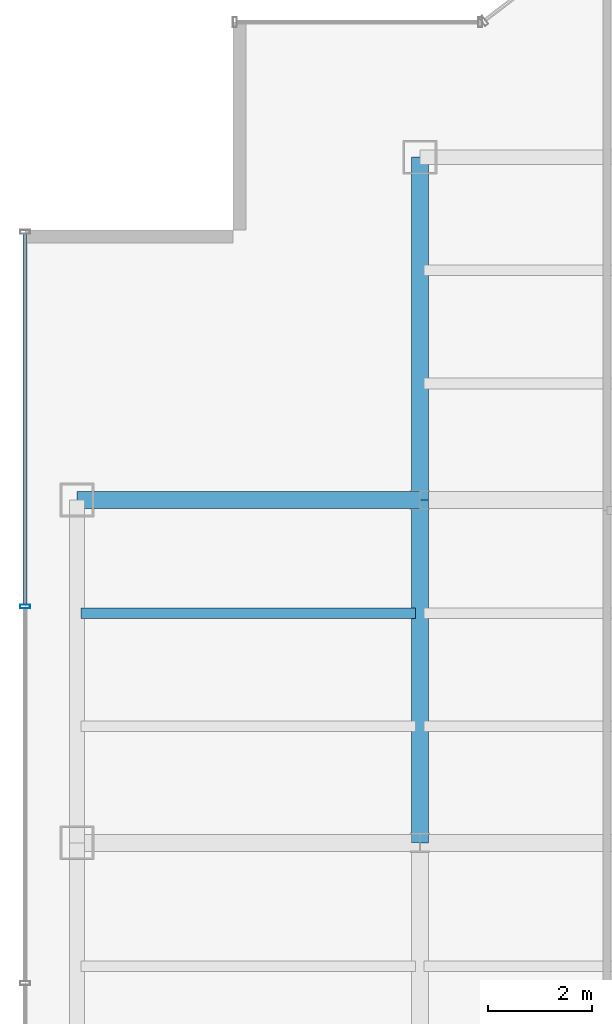
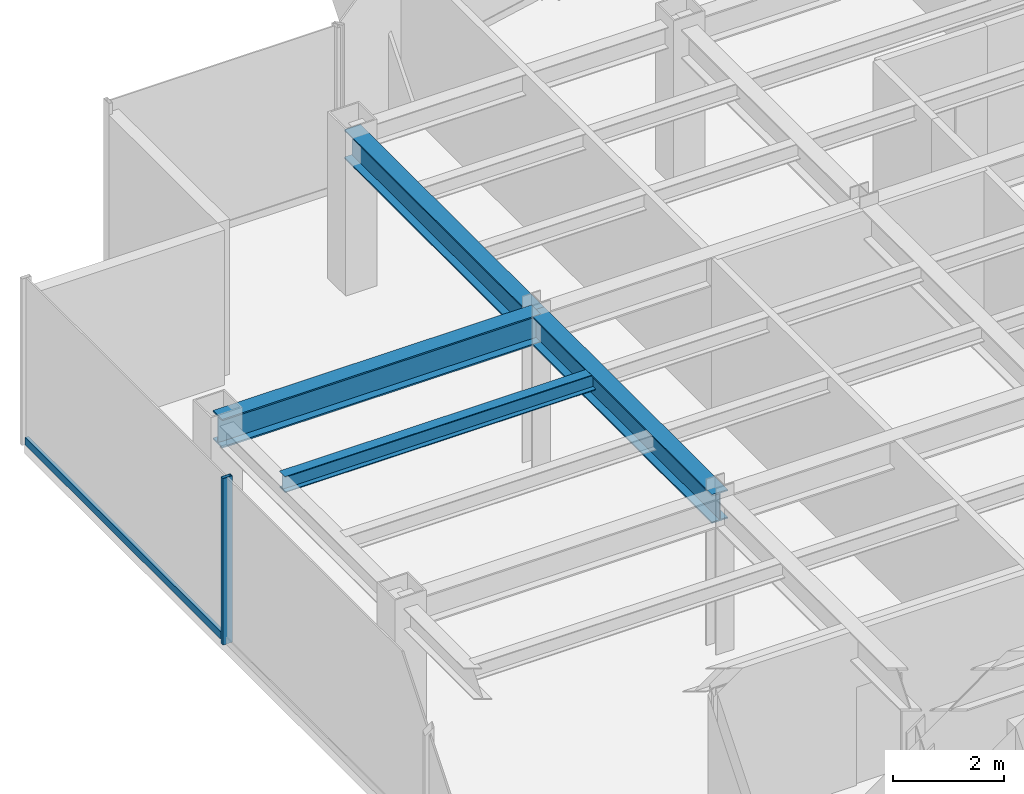
# One storey, part 7 of 25: 4 beams, 2 members, 1 element without a shape of its own.
"""IFC4 building model written with IfcOpenShell, lengths in metres."""

from ifc_helpers import new_model, si_unit, derived_unit, direction, frame, origin, origin_2d, place, context, subcontext, project, spatial, hollow_rectangle, i_section, extrude, source, transform, mapped, material, material_profile, profile_set, type_object, element, aggregate, save


model = new_model("IFC4")

# Units and contexts
model_context = context("Model", 3, precision=1e-05, world=origin(), true_north=direction((0.0, 1.0)))
body_context = subcontext(model_context, "Body", "Model", "MODEL_VIEW")
ifc_project = project(units=[si_unit("LENGTHUNIT", "METRE"), si_unit("AREAUNIT", "SQUARE_METRE"), si_unit("VOLUMEUNIT", "CUBIC_METRE"), si_unit("PLANEANGLEUNIT", "RADIAN"), si_unit("MASSUNIT", "GRAM", prefix="KILO"), derived_unit("THERMALTRANSMITTANCEUNIT", [(si_unit("POWERUNIT", "WATT"), 1), (si_unit("LENGTHUNIT", "METRE"), -2), (si_unit("THERMODYNAMICTEMPERATUREUNIT", "KELVIN"), -1)])], contexts=[model_context])

# Site, building, storey
site_placement = place(None, origin())
site = spatial("IfcSite", under=ifc_project, at=site_placement, CompositionType="ELEMENT")
building_placement = place(site_placement, origin())
building = spatial("IfcBuilding", under=site, at=building_placement, Name="Skarnbrae Concourse Arena and Tower", CompositionType="ELEMENT")
storey_placement = place(building_placement, frame((0.0, 0.0, 144.25)))
storey = spatial("IfcBuildingStorey", under=building, at=storey_placement, Name="L36", CompositionType="ELEMENT", Elevation=144.25)

# Beams
ifc_material_1 = material(Name="Steel CSA G40.21 350W", Category="steel")
ifc_material_profile_1 = material_profile(ifc_material_1, i_section(OverallWidth=0.3291015625, OverallDepth=0.635009765625, WebThickness=0.017822265625, FlangeThickness=0.031005859375, at=origin_2d()), Name="W610X241")
ifc_profile_set_1 = profile_set([ifc_material_profile_1], Name="Steel CSA G40.21 350W")
beam_type_1 = type_object("IfcBeamType", Name="BM-GIRD-W610X241", PredefinedType="BEAM", material=ifc_profile_set_1)
shared_shape_1 = source(origin(), body_context, "Body", "SweptSolid", [
    extrude(i_section(OverallWidth=0.3291015625, OverallDepth=0.635009765625, WebThickness=0.017822265625, FlangeThickness=0.031005859375, at=origin_2d()), origin(), (0.0, 0.0, 1.0), 6.60009765625),
])
for number, where, z_axis, x_axis, name in (
    (1, (1.0, 27.800048828125, 3.08251953125), (1.0, 0.0, 0.0), (0.0, 1.0, 0.0), "L36 Primary E-W girder Y27.8-1"),
    (2, (7.60009765625, 21.199951171875, 3.08251953125), (0.0, 1.0, 0.0), (-1.0, 0.0, 0.0), "L36 Primary N-S girder X7.6-2"),
):
    element("IfcBeam", number, at=place(storey_placement, frame(where, z_axis=z_axis, x_axis=x_axis)), inside=storey, type_object=beam_type_1, Name=name, PredefinedType="BEAM", context=body_context, shape_type="MappedRepresentation", body=[
        mapped(shared_shape_1, transform((0.0, 0.0, 0.0))),
    ])
shared_shape_2 = source(origin(), body_context, "Body", "SweptSolid", [
    extrude(i_section(OverallWidth=0.3291015625, OverallDepth=0.635009765625, WebThickness=0.017822265625, FlangeThickness=0.031005859375, at=origin_2d()), origin(), (0.0, 0.0, 1.0), 6.599853515625),
])
beam_1_placement = place(storey_placement, frame((7.60009765625, 27.800048828125, 3.08251953125), z_axis=(0.0, 1.0, 0.0), x_axis=(-1.0, 0.0, 0.0)))
element("IfcBeam", 3, at=beam_1_placement, inside=storey, type_object=beam_type_1, Name="L36 Primary N-S girder X7.6-3", PredefinedType="BEAM", context=body_context, shape_type="MappedRepresentation", body=[
    mapped(shared_shape_2, transform((0.0, 0.0, 0.0))),
])
ifc_material_profile_2 = material_profile(ifc_material_1, i_section(OverallWidth=0.205078125, OverallDepth=0.35400390625, WebThickness=0.009521484375, FlangeThickness=0.016845703125, at=origin_2d()), Name="W360X79")
ifc_profile_set_2 = profile_set([ifc_material_profile_2], Name="Steel CSA G40.21 350W")
beam_type_2 = type_object("IfcBeamType", Name="BM-JOIST-W360X79", PredefinedType="JOIST", material=ifc_profile_set_2)
shared_shape_3 = source(origin(), body_context, "Body", "SweptSolid", [
    extrude(i_section(OverallWidth=0.205078125, OverallDepth=0.35400390625, WebThickness=0.009521484375, FlangeThickness=0.016845703125, at=origin_2d()), origin(), (0.0, 0.0, 1.0), 6.43994140625),
])
beam_2_placement = place(storey_placement, frame((1.080078125, 25.6220703125, 3.222900390625), z_axis=(1.0, 0.0, 0.0), x_axis=(0.0, 1.0, 0.0)))
element("IfcBeam", 4, at=beam_2_placement, inside=storey, type_object=beam_type_2, Name="L36 Secondary floor joist 2.2.1", PredefinedType="JOIST", context=body_context, shape_type="MappedRepresentation", body=[
    mapped(shared_shape_3, transform((0.0, 0.0, 0.0))),
])

# Curtain wall, members
ifc_material_2 = material(Name="Bronze anodised aluminium 6063-T6", Category="aluminium")
curtain_wall_type = type_object("IfcCurtainWallType", Name="CW-SYS-04-MIDZONE", PredefinedType="USERDEFINED", material=ifc_material_2)
curtain_wall_placement = place(storey_placement, origin())
curtain_wall = element("IfcCurtainWall", 5, at=curtain_wall_placement, inside=storey, type_object=curtain_wall_type, Name="L36 Unitised curtain wall CW-L36-E18", ObjectType="UNITISED CURTAIN WALL", PredefinedType="USERDEFINED")
ifc_material_profile_3 = material_profile(ifc_material_2, hollow_rectangle(XDim=0.074951171875, YDim=0.195068359375, WallThickness=0.00439453125, at=origin_2d()), Name="ALU-MULL-75X195")
ifc_profile_set_3 = profile_set([ifc_material_profile_3], Name="Bronze anodised aluminium 6063-T6")
member_type_1 = type_object("IfcMemberType", Name="CWM-CW-04", PredefinedType="MULLION", material=ifc_profile_set_3)
shared_shape_4 = source(origin(), body_context, "Body", "SweptSolid", [
    extrude(hollow_rectangle(XDim=0.074951171875, YDim=0.195068359375, WallThickness=0.00439453125, at=origin_2d()), origin(), (0.0, 0.0, 1.0), 3.64990234375),
])
member_1_placement = place(storey_placement, frame((0.0, 25.75, 0.0), z_axis=(0.0, 0.0, 1.0), x_axis=(0.0, -1.0, 0.0)))
member_1 = element("IfcMember", 6, at=member_1_placement, type_object=member_type_1, Name="CW-L36-E18 Mullion 2", PredefinedType="MULLION", context=body_context, shape_type="MappedRepresentation", body=[
    mapped(shared_shape_4, transform((0.0, 0.0, 0.0))),
])
ifc_material_profile_4 = material_profile(ifc_material_2, hollow_rectangle(XDim=0.074951171875, YDim=0.159912109375, WallThickness=0.00439453125, at=origin_2d()), Name="ALU-TRAN-75X160")
ifc_profile_set_4 = profile_set([ifc_material_profile_4], Name="Bronze anodised aluminium 6063-T6")
member_type_2 = type_object("IfcMemberType", Name="CWT-CW-04", PredefinedType="USERDEFINED", material=ifc_profile_set_4)
shared_shape_5 = source(origin(), body_context, "Body", "SweptSolid", [
    extrude(hollow_rectangle(XDim=0.074951171875, YDim=0.159912109375, WallThickness=0.00439453125, at=origin_2d()), origin(), (0.0, 0.0, 1.0), 7.137451171875),
])
member_2_placement = place(storey_placement, frame((0.0, 32.925048828125, 0.080078125), z_axis=(0.0, -1.0, 0.0), x_axis=(1.0, 0.0, 0.0)))
member_2 = element("IfcMember", 7, at=member_2_placement, type_object=member_type_2, Name="CW-L36-E18 Transom 1", ObjectType="TRANSOM", PredefinedType="USERDEFINED", context=body_context, shape_type="MappedRepresentation", body=[
    mapped(shared_shape_5, transform((0.0, 0.0, 0.0))),
])
aggregate(curtain_wall, [member_1, member_2])

save(model, "model.ifc")
